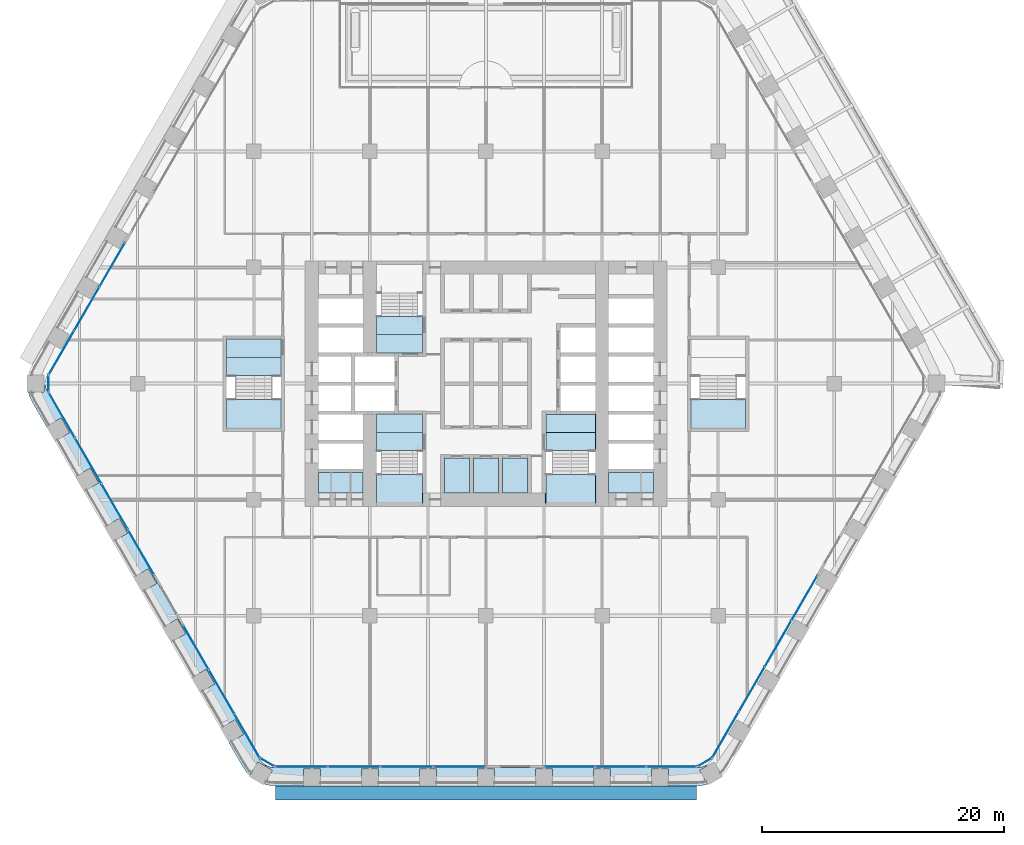
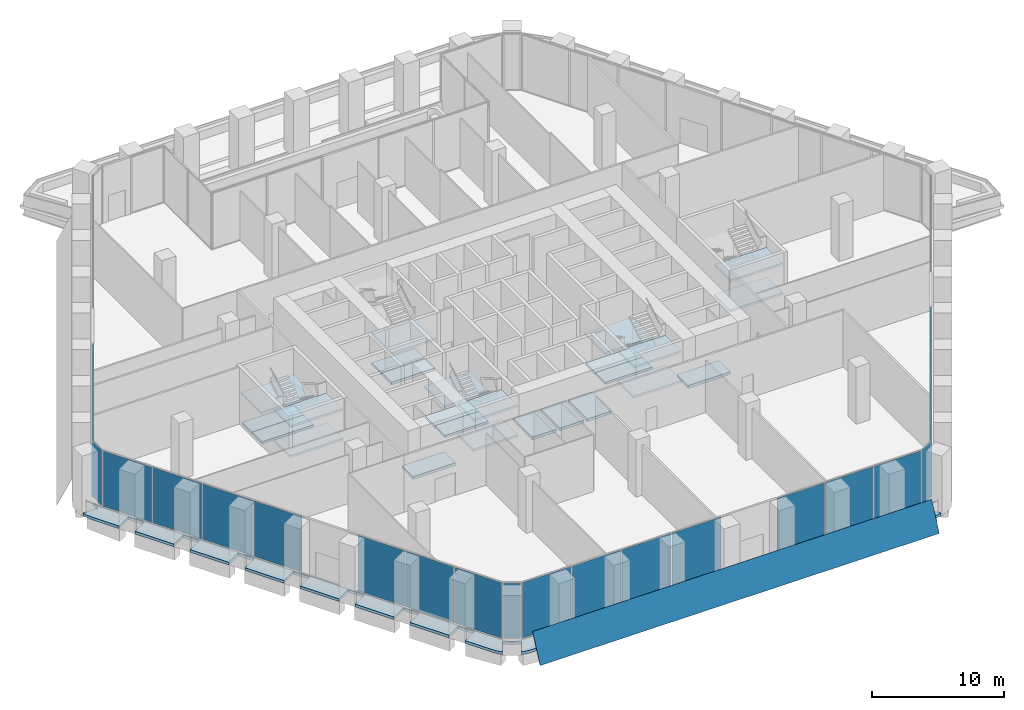
# One storey, part 16 of 30: 27 slabs, 25 plates, 14 elements without a shape of their own.
"""IFC4 building model written with IfcOpenShell, lengths in metres."""

from ifc_helpers import new_model, si_unit, direction, frame, origin, origin_2d, place, context, subcontext, project, spatial, polyline, rectangle, outline, extrude, material, layer, layer_set, type_object, element, aggregate, save


model = new_model("IFC4")

# Units and contexts
model_context = context("Model", 3, precision=1e-05, world=origin(), true_north=direction((0.0, 1.0)))
body_context = subcontext(model_context, "Body", "Model", "MODEL_VIEW")
ifc_project = project(units=[si_unit("LENGTHUNIT", "METRE"), si_unit("AREAUNIT", "SQUARE_METRE"), si_unit("VOLUMEUNIT", "CUBIC_METRE"), si_unit("PLANEANGLEUNIT", "RADIAN"), si_unit("MASSUNIT", "GRAM", prefix="KILO")], contexts=[model_context])

# Site, building, storey
site_placement = place(None, origin())
site = spatial("IfcSite", under=ifc_project, at=site_placement, CompositionType="ELEMENT")
building_placement = place(site_placement, origin())
building = spatial("IfcBuilding", under=site, at=building_placement, Name="Kolab Exchange Tower", CompositionType="ELEMENT")
storey_placement = place(building_placement, frame((0.0, 0.0, 38.89990234375)))
storey = spatial("IfcBuildingStorey", under=building, at=storey_placement, Name="L07", CompositionType="ELEMENT", Elevation=38.89990234375)

# Slabs
ifc_material_1 = material(Name="Concrete C35/45", Category="concrete")
ifc_layer_1 = layer(ifc_material_1, 0.25)
ifc_layer_set_1 = layer_set([ifc_layer_1], Name="Concrete C35/45")
slab_type_1 = type_object("IfcSlabType", Name="FLOOR SLAB 250", PredefinedType="FLOOR", material=ifc_layer_set_1)
slab_1_placement = place(storey_placement, frame((0.0, 0.0, -0.25)))
element("IfcSlab", 1, at=slab_1_placement, inside=storey, type_object=slab_type_1, Name="slab/L07/floor/8", PredefinedType="FLOOR", context=body_context, shape_type="SweptSolid", body=[
    extrude(outline(polyline([(-21.449951171875, 3.64990234375), (-21.449951171875, 2.14990234375), (-16.949951171875, 2.14990234375), (-16.949951171875, 3.64990234375), (-21.449951171875, 3.64990234375)])), origin(), (0.0, 0.0, 1.0), 0.25),
])
slab_2_placement = place(storey_placement, frame((0.0, 0.0, -0.25)))
element("IfcSlab", 2, at=slab_2_placement, inside=storey, type_object=slab_type_1, Name="slab/L07/floor/10", PredefinedType="FLOOR", context=body_context, shape_type="SweptSolid", body=[
    extrude(outline(polyline([(-10.14990234375, -9.050048828125), (-10.14990234375, -7.35009765625), (-13.85009765625, -7.35009765625), (-13.85009765625, -9.050048828125), (-10.14990234375, -9.050048828125)])), origin(), (0.0, 0.0, 1.0), 0.25),
])
slab_3_placement = place(storey_placement, frame((0.0, 0.0, -0.25)))
element("IfcSlab", 3, at=slab_3_placement, inside=storey, type_object=slab_type_1, Name="slab/L07/floor/12", PredefinedType="FLOOR", context=body_context, shape_type="SweptSolid", body=[
    extrude(outline(polyline([(10.14990234375, -7.35009765625), (10.14990234375, -9.050048828125), (13.85009765625, -9.050048828125), (13.85009765625, -7.35009765625), (10.14990234375, -7.35009765625)])), origin(), (0.0, 0.0, 1.0), 0.25),
])
slab_4_placement = place(storey_placement, frame((0.0, 0.0, -0.25)))
element("IfcSlab", 4, at=slab_4_placement, inside=storey, type_object=slab_type_1, Name="slab/L07/floor/14", PredefinedType="FLOOR", context=body_context, shape_type="SweptSolid", body=[
    extrude(outline(polyline([(9.050048828125, -4.050048828125), (9.050048828125, -2.550048828125), (6.14990234375, -2.550048828125), (5.85009765625, -2.550048828125), (4.949951171875, -2.550048828125), (4.949951171875, -4.050048828125), (9.050048828125, -4.050048828125)])), origin(), (0.0, 0.0, 1.0), 0.25),
])
slab_5_placement = place(storey_placement, frame((0.0, 0.0, -0.25)))
element("IfcSlab", 5, at=slab_5_placement, inside=storey, type_object=slab_type_1, Name="slab/L07/floor/15", PredefinedType="FLOOR", context=body_context, shape_type="SweptSolid", body=[
    extrude(outline(polyline([(1.050048828125, -6.14990234375), (-1.050048828125, -6.14990234375), (-1.050048828125, -9.050048828125), (1.050048828125, -9.050048828125), (1.050048828125, -6.14990234375)])), origin(), (0.0, 0.0, 1.0), 0.25),
])
slab_6_placement = place(storey_placement, frame((0.0, 0.0, -0.25)))
element("IfcSlab", 6, at=slab_6_placement, inside=storey, type_object=slab_type_1, Name="slab/L07/floor/17", PredefinedType="FLOOR", context=body_context, shape_type="SweptSolid", body=[
    extrude(outline(polyline([(-1.35009765625, -6.14990234375), (-3.449951171875, -6.14990234375), (-3.449951171875, -9.050048828125), (-1.35009765625, -9.050048828125), (-1.35009765625, -6.14990234375)])), origin(), (0.0, 0.0, 1.0), 0.25),
])
slab_7_placement = place(storey_placement, frame((0.0, 0.0, -0.25)))
element("IfcSlab", 7, at=slab_7_placement, inside=storey, type_object=slab_type_1, Name="slab/L07/floor/19", PredefinedType="FLOOR", context=body_context, shape_type="SweptSolid", body=[
    extrude(outline(polyline([(1.35009765625, -6.14990234375), (1.35009765625, -9.050048828125), (3.449951171875, -9.050048828125), (3.449951171875, -6.14990234375), (1.35009765625, -6.14990234375)])), origin(), (0.0, 0.0, 1.0), 0.25),
])
slab_8_placement = place(storey_placement, frame((0.0, 0.0, -0.25)))
element("IfcSlab", 8, at=slab_8_placement, inside=storey, type_object=slab_type_1, Name="slab/L07/floor/21", PredefinedType="FLOOR", context=body_context, shape_type="SweptSolid", body=[
    extrude(outline(polyline([(-9.050048828125, -4.050048828125), (-5.25, -4.050048828125), (-5.25, -2.550048828125), (-7.25, -2.550048828125), (-7.550048828125, -2.550048828125), (-9.050048828125, -2.550048828125), (-9.050048828125, -4.050048828125)])), origin(), (0.0, 0.0, 1.0), 0.25),
])
slab_9_placement = place(storey_placement, frame((0.0, 0.0, -0.25)))
element("IfcSlab", 9, at=slab_9_placement, inside=storey, type_object=slab_type_1, Name="slab/L07/floor/22", PredefinedType="FLOOR", context=body_context, shape_type="SweptSolid", body=[
    extrude(outline(polyline([(-5.25, 4.050048828125), (-9.050048828125, 4.050048828125), (-9.050048828125, 2.550048828125), (-7.550048828125, 2.550048828125), (-7.25, 2.550048828125), (-5.25, 2.550048828125), (-5.25, 4.050048828125)])), origin(), (0.0, 0.0, 1.0), 0.25),
])
ifc_layer_2 = layer(ifc_material_1, 0.25)
ifc_layer_set_2 = layer_set([ifc_layer_2], Name="Concrete C35/45")
slab_type_2 = type_object("IfcSlabType", Name="LOGGIA SLAB 250", PredefinedType="FLOOR", material=ifc_layer_set_2)
slab_10_placement = place(storey_placement, frame((0.0, 0.0, -0.25)))
element("IfcSlab", 10, at=slab_10_placement, inside=storey, type_object=slab_type_2, Name="slab/L07/loggia/3-0", PredefinedType="FLOOR", context=body_context, shape_type="SweptSolid", body=[
    extrude(outline(polyline([(-17.98095703125, -31.664794921875), (-18.218017578125, -31.554443359375), (-18.26806640625, -31.64111328125), (-17.66162109375, -31.990966796875), (-18.31494140625, -33.122314453125), (-17.989013671875, -33.209716796875), (-17.468017578125, -33.25537109375), (-15.10009765625, -33.25537109375), (-15.10009765625, -31.85546875), (-13.699951171875, -31.85546875), (-13.699951171875, -33.25537109375), (-10.300048828125, -33.25537109375), (-10.300048828125, -31.85546875), (-8.89990234375, -31.85546875), (-8.89990234375, -33.25537109375), (-5.5, -33.25537109375), (-5.5, -31.85546875), (-4.10009765625, -31.85546875), (-4.10009765625, -33.25537109375), (-0.699951171875, -33.25537109375), (-0.699951171875, -31.85546875), (0.699951171875, -31.85546875), (0.699951171875, -33.25537109375), (4.10009765625, -33.25537109375), (4.10009765625, -31.85546875), (5.5, -31.85546875), (5.5, -33.25537109375), (8.89990234375, -33.25537109375), (8.89990234375, -31.85546875), (10.300048828125, -31.85546875), (10.300048828125, -33.25537109375), (13.699951171875, -33.25537109375), (13.699951171875, -31.85546875), (15.10009765625, -31.85546875), (15.10009765625, -33.25537109375), (17.468017578125, -33.25537109375), (17.989013671875, -33.209716796875), (18.31494140625, -33.122314453125), (17.66162109375, -31.990966796875), (18.26806640625, -31.64111328125), (18.218017578125, -31.554443359375), (17.98095703125, -31.664794921875), (17.728515625, -31.732666015625), (17.468017578125, -31.75537109375), (-17.468017578125, -31.75537109375), (-17.728515625, -31.732666015625), (-17.98095703125, -31.664794921875)])), origin(), (0.0, 0.0, 1.0), 0.25),
])
slab_11_placement = place(storey_placement, frame((0.0, 0.0, -0.25)))
element("IfcSlab", 11, at=slab_11_placement, inside=storey, type_object=slab_type_2, Name="slab/L07/loggia/4-0", PredefinedType="FLOOR", context=body_context, shape_type="SweptSolid", body=[
    extrude(outline(polyline([(-36.4130859375, -0.260498046875), (-36.435791015625, 0.0), (-36.535888671875, 0.0), (-36.535888671875, -0.699951171875), (-37.84228515625, -0.699951171875), (-37.7548828125, -1.026123046875), (-37.533935546875, -1.5), (-36.35009765625, -3.55078125), (-35.137451171875, -2.8505859375), (-34.4375, -4.063232421875), (-35.64990234375, -4.76318359375), (-33.949951171875, -7.70751953125), (-32.737548828125, -7.007568359375), (-32.03759765625, -8.219970703125), (-33.25, -8.920166015625), (-31.550048828125, -11.864501953125), (-30.337646484375, -11.16455078125), (-29.637451171875, -12.376953125), (-30.85009765625, -13.076904296875), (-29.14990234375, -16.021484375), (-27.9375, -15.321533203125), (-27.237548828125, -16.533935546875), (-28.449951171875, -17.23388671875), (-26.75, -20.178466796875), (-25.53759765625, -19.478271484375), (-24.837646484375, -20.69091796875), (-26.050048828125, -21.390869140625), (-24.35009765625, -24.335205078125), (-23.137451171875, -23.63525390625), (-22.4375, -24.84765625), (-23.64990234375, -25.5478515625), (-21.949951171875, -28.4921875), (-20.737548828125, -27.792236328125), (-20.03759765625, -29.004638671875), (-21.25, -29.70458984375), (-20.06591796875, -31.75537109375), (-19.76611328125, -32.183837890625), (-19.52734375, -32.42236328125), (-18.874267578125, -31.291015625), (-18.26806640625, -31.64111328125), (-18.218017578125, -31.554443359375), (-18.43212890625, -31.404541015625), (-18.616943359375, -31.219482421875), (-18.76708984375, -31.00537109375), (-36.23486328125, -0.75), (-36.345458984375, -0.512939453125), (-36.4130859375, -0.260498046875)])), origin(), (0.0, 0.0, 1.0), 0.25),
])

# Plate
ifc_material_2 = material(Name="Laminated glass, clear", Category="glass")
ifc_layer_3 = layer(ifc_material_2, 0.0400390625)
ifc_layer_set_3 = layer_set([ifc_layer_3], Name="Laminated glass, clear")
plate_type_1 = type_object("IfcPlateType", Name="OUTER SKIN LAMINATED GLASS SHEET 40", PredefinedType="SHEET", material=ifc_layer_set_3)
plate_1_placement = place(storey_placement, frame((17.41796875, -34.435302734375, -0.782958984375), z_axis=(0.0, -0.906309875243, 0.422613783538), x_axis=(-1.0, 0.0, 0.0)))
element("IfcPlate", 12, at=plate_1_placement, inside=storey, type_object=plate_type_1, Name="Outer skin", PredefinedType="SHEET", context=body_context, shape_type="SweptSolid", body=[
    extrude(outline(polyline([(0.0, 0.0), (34.8359375, 0.0), (34.8359375, -2.7059095846952848), (0.0, -2.7059095846952848), (0.0, 0.0)])), origin(), (0.0, 0.0, -1.0), 0.0400390625),
])

# Stair, slabs
ifc_material_3 = material(Name="Concrete C50/60", Category="concrete")
stair_type_1 = type_object("IfcStairType", Name="STAIR ST1 RISER 171.9", PredefinedType="DOUBLE_RETURN_STAIR", material=ifc_material_3)
stair_1_placement = place(storey_placement, origin())
stair_1 = element("IfcStair", 13, at=stair_1_placement, inside=storey, type_object=stair_type_1, Name="Stair 1", PredefinedType="DOUBLE_RETURN_STAIR")
ifc_layer_4 = layer(ifc_material_3, 0.199951171875)
ifc_layer_set_4 = layer_set([ifc_layer_4], Name="Concrete C50/60")
slab_type_3 = type_object("IfcSlabType", Name="STAIR LANDING 200", PredefinedType="LANDING", material=ifc_layer_set_4)
slab_12_placement = place(storey_placement, frame((0.0, 0.0, -0.199951171875)))
slab_12 = element("IfcSlab", 14, at=slab_12_placement, type_object=slab_type_3, Name="ST1 landing 1", PredefinedType="LANDING", context=body_context, shape_type="SweptSolid", body=[
    extrude(outline(polyline([(-9.050048828125, 4.050048828125), (-5.25, 4.050048828125), (-5.25, 5.550048828125), (-9.050048828125, 5.550048828125), (-9.050048828125, 4.050048828125)])), origin(), (0.0, 0.0, 1.0), 0.199951171875),
])
slab_13_placement = place(storey_placement, frame((0.0, 0.0, 2.550048828125)))
slab_13 = element("IfcSlab", 15, at=slab_13_placement, type_object=slab_type_3, Name="ST1 landing 3", PredefinedType="LANDING", context=body_context, shape_type="SweptSolid", body=[
    extrude(outline(polyline([(-9.110107421875, 2.489990234375), (-5.18994140625, 2.489990234375), (-5.18994140625, 5.550048828125), (-9.110107421875, 5.550048828125), (-9.110107421875, 2.489990234375)])), origin(), (0.0, 0.0, 1.0), 0.199951171875),
])
aggregate(stair_1, [slab_12, slab_13])

stair_type_2 = type_object("IfcStairType", Name="STAIR ST3 RISER 171.9", PredefinedType="DOUBLE_RETURN_STAIR", material=ifc_material_3)
stair_2_placement = place(storey_placement, origin())
stair_2 = element("IfcStair", 16, at=stair_2_placement, inside=storey, type_object=stair_type_2, Name="Stair 3", PredefinedType="DOUBLE_RETURN_STAIR")
slab_14_placement = place(storey_placement, frame((0.0, 0.0, -0.199951171875)))
slab_14 = element("IfcSlab", 17, at=slab_14_placement, type_object=slab_type_3, Name="ST3 landing 1", PredefinedType="LANDING", context=body_context, shape_type="SweptSolid", body=[
    extrude(outline(polyline([(-9.050048828125, -5.550048828125), (-5.25, -5.550048828125), (-5.25, -4.050048828125), (-9.050048828125, -4.050048828125), (-9.050048828125, -5.550048828125)])), origin(), (0.0, 0.0, 1.0), 0.199951171875),
])
slab_15_placement = place(storey_placement, frame((0.0, 0.0, 1.175048828125)))
slab_15 = element("IfcSlab", 18, at=slab_15_placement, type_object=slab_type_3, Name="ST3 landing 2", PredefinedType="LANDING", context=body_context, shape_type="SweptSolid", body=[
    extrude(outline(polyline([(-9.110107421875, -9.909912109375), (-5.18994140625, -9.909912109375), (-5.18994140625, -7.510009765625), (-9.110107421875, -7.510009765625), (-9.110107421875, -9.909912109375)])), origin(), (0.0, 0.0, 1.0), 0.199951171875),
])
slab_16_placement = place(storey_placement, frame((0.0, 0.0, 2.550048828125)))
slab_16 = element("IfcSlab", 19, at=slab_16_placement, type_object=slab_type_3, Name="ST3 landing 3", PredefinedType="LANDING", context=body_context, shape_type="SweptSolid", body=[
    extrude(outline(polyline([(-9.110107421875, -5.550048828125), (-5.18994140625, -5.550048828125), (-5.18994140625, -2.489990234375), (-9.110107421875, -2.489990234375), (-9.110107421875, -5.550048828125)])), origin(), (0.0, 0.0, 1.0), 0.199951171875),
])
slab_17_placement = place(storey_placement, frame((0.0, 0.0, 3.925048828125)))
slab_17 = element("IfcSlab", 20, at=slab_17_placement, type_object=slab_type_3, Name="ST3 landing 4", PredefinedType="LANDING", context=body_context, shape_type="SweptSolid", body=[
    extrude(outline(polyline([(-9.050048828125, -9.909912109375), (-5.25, -9.909912109375), (-5.25, -7.510009765625), (-9.050048828125, -7.510009765625), (-9.050048828125, -9.909912109375)])), origin(), (0.0, 0.0, 1.0), 0.199951171875),
])
aggregate(stair_2, [slab_14, slab_15, slab_16, slab_17])

stair_type_3 = type_object("IfcStairType", Name="STAIR ST2 RISER 171.9", PredefinedType="DOUBLE_RETURN_STAIR", material=ifc_material_3)
stair_3_placement = place(storey_placement, origin())
stair_3 = element("IfcStair", 21, at=stair_3_placement, inside=storey, type_object=stair_type_3, Name="Stair 2", PredefinedType="DOUBLE_RETURN_STAIR")
slab_18_placement = place(storey_placement, frame((0.0, 0.0, -0.199951171875)))
slab_18 = element("IfcSlab", 22, at=slab_18_placement, type_object=slab_type_3, Name="ST2 landing 1", PredefinedType="LANDING", context=body_context, shape_type="SweptSolid", body=[
    extrude(outline(polyline([(4.949951171875, -5.550048828125), (9.050048828125, -5.550048828125), (9.050048828125, -4.050048828125), (4.949951171875, -4.050048828125), (4.949951171875, -5.550048828125)])), origin(), (0.0, 0.0, 1.0), 0.199951171875),
])
slab_19_placement = place(storey_placement, frame((0.0, 0.0, 1.175048828125)))
slab_19 = element("IfcSlab", 23, at=slab_19_placement, type_object=slab_type_3, Name="ST2 landing 2", PredefinedType="LANDING", context=body_context, shape_type="SweptSolid", body=[
    extrude(outline(polyline([(4.889892578125, -9.909912109375), (9.110107421875, -9.909912109375), (9.110107421875, -7.510009765625), (4.889892578125, -7.510009765625), (4.889892578125, -9.909912109375)])), origin(), (0.0, 0.0, 1.0), 0.199951171875),
])
slab_20_placement = place(storey_placement, frame((0.0, 0.0, 2.550048828125)))
slab_20 = element("IfcSlab", 24, at=slab_20_placement, type_object=slab_type_3, Name="ST2 landing 3", PredefinedType="LANDING", context=body_context, shape_type="SweptSolid", body=[
    extrude(outline(polyline([(4.889892578125, -5.550048828125), (9.110107421875, -5.550048828125), (9.110107421875, -2.489990234375), (4.889892578125, -2.489990234375), (4.889892578125, -5.550048828125)])), origin(), (0.0, 0.0, 1.0), 0.199951171875),
])
slab_21_placement = place(storey_placement, frame((0.0, 0.0, 3.925048828125)))
slab_21 = element("IfcSlab", 25, at=slab_21_placement, type_object=slab_type_3, Name="ST2 landing 4", PredefinedType="LANDING", context=body_context, shape_type="SweptSolid", body=[
    extrude(outline(polyline([(4.949951171875, -9.909912109375), (9.050048828125, -9.909912109375), (9.050048828125, -7.510009765625), (4.949951171875, -7.510009765625), (4.949951171875, -9.909912109375)])), origin(), (0.0, 0.0, 1.0), 0.199951171875),
])
aggregate(stair_3, [slab_18, slab_19, slab_20, slab_21])

stair_type_4 = type_object("IfcStairType", Name="STAIR ST4 RISER 171.9", PredefinedType="DOUBLE_RETURN_STAIR", material=ifc_material_3)
stair_4_placement = place(storey_placement, origin())
stair_4 = element("IfcStair", 26, at=stair_4_placement, inside=storey, type_object=stair_type_4, Name="Stair 4", PredefinedType="DOUBLE_RETURN_STAIR")
slab_22_placement = place(storey_placement, frame((0.0, 0.0, 1.175048828125)))
slab_22 = element("IfcSlab", 27, at=slab_22_placement, type_object=slab_type_3, Name="ST4 landing 2", PredefinedType="LANDING", context=body_context, shape_type="SweptSolid", body=[
    extrude(outline(polyline([(16.889892578125, -3.7099609375), (21.510009765625, -3.7099609375), (21.510009765625, -1.31005859375), (16.889892578125, -1.31005859375), (16.889892578125, -3.7099609375)])), origin(), (0.0, 0.0, 1.0), 0.199951171875),
])
slab_23_placement = place(storey_placement, frame((0.0, 0.0, 3.925048828125)))
slab_23 = element("IfcSlab", 28, at=slab_23_placement, type_object=slab_type_3, Name="ST4 landing 4", PredefinedType="LANDING", context=body_context, shape_type="SweptSolid", body=[
    extrude(outline(polyline([(16.949951171875, -3.7099609375), (21.449951171875, -3.7099609375), (21.449951171875, -1.31005859375), (16.949951171875, -1.31005859375), (16.949951171875, -3.7099609375)])), origin(), (0.0, 0.0, 1.0), 0.199951171875),
])
aggregate(stair_4, [slab_22, slab_23])

stair_type_5 = type_object("IfcStairType", Name="STAIR ST5 RISER 171.9", PredefinedType="DOUBLE_RETURN_STAIR", material=ifc_material_3)
stair_5_placement = place(storey_placement, origin())
stair_5 = element("IfcStair", 29, at=stair_5_placement, inside=storey, type_object=stair_type_5, Name="Stair 5", PredefinedType="DOUBLE_RETURN_STAIR")
slab_24_placement = place(storey_placement, frame((0.0, 0.0, -0.199951171875)))
slab_24 = element("IfcSlab", 30, at=slab_24_placement, type_object=slab_type_3, Name="ST5 landing 1", PredefinedType="LANDING", context=body_context, shape_type="SweptSolid", body=[
    extrude(outline(polyline([(-21.449951171875, 0.64990234375), (-16.949951171875, 0.64990234375), (-16.949951171875, 2.14990234375), (-21.449951171875, 2.14990234375), (-21.449951171875, 0.64990234375)])), origin(), (0.0, 0.0, 1.0), 0.199951171875),
])
slab_25_placement = place(storey_placement, frame((0.0, 0.0, 1.175048828125)))
slab_25 = element("IfcSlab", 31, at=slab_25_placement, type_object=slab_type_3, Name="ST5 landing 2", PredefinedType="LANDING", context=body_context, shape_type="SweptSolid", body=[
    extrude(outline(polyline([(-21.510009765625, -3.7099609375), (-16.889892578125, -3.7099609375), (-16.889892578125, -1.31005859375), (-21.510009765625, -1.31005859375), (-21.510009765625, -3.7099609375)])), origin(), (0.0, 0.0, 1.0), 0.199951171875),
])
slab_26_placement = place(storey_placement, frame((0.0, 0.0, 2.550048828125)))
slab_26 = element("IfcSlab", 32, at=slab_26_placement, type_object=slab_type_3, Name="ST5 landing 3", PredefinedType="LANDING", context=body_context, shape_type="SweptSolid", body=[
    extrude(outline(polyline([(-21.510009765625, 0.64990234375), (-16.889892578125, 0.64990234375), (-16.889892578125, 3.7099609375), (-21.510009765625, 3.7099609375), (-21.510009765625, 0.64990234375)])), origin(), (0.0, 0.0, 1.0), 0.199951171875),
])
slab_27_placement = place(storey_placement, frame((0.0, 0.0, 3.925048828125)))
slab_27 = element("IfcSlab", 33, at=slab_27_placement, type_object=slab_type_3, Name="ST5 landing 4", PredefinedType="LANDING", context=body_context, shape_type="SweptSolid", body=[
    extrude(outline(polyline([(-21.449951171875, -3.7099609375), (-16.949951171875, -3.7099609375), (-16.949951171875, -1.31005859375), (-21.449951171875, -1.31005859375), (-21.449951171875, -3.7099609375)])), origin(), (0.0, 0.0, 1.0), 0.199951171875),
])
aggregate(stair_5, [slab_24, slab_25, slab_26, slab_27])

# Curtain wall, plates
ifc_material_4 = material(Name="Aluminium EN AW-6063 T6", Category="aluminium")
curtain_wall_type = type_object("IfcCurtainWallType", Name="UNITISED LOW ZONE CURTAIN WALL", PredefinedType="NOTDEFINED", material=ifc_material_4)
curtain_wall_1_placement = place(storey_placement, origin())
curtain_wall_1 = element("IfcCurtainWall", 34, at=curtain_wall_1_placement, inside=storey, type_object=curtain_wall_type, Name="cw/L07/F3-2", PredefinedType="NOTDEFINED")
ifc_material_5 = material(Name="Clear insulated glazing unit", Category="glass")
ifc_layer_5 = layer(ifc_material_5, 0.02392578125)
ifc_layer_set_5 = layer_set([ifc_layer_5], Name="Clear insulated glazing unit")
plate_type_2 = type_object("IfcPlateType", Name="UNITISED LOW ZONE GLASS PANEL 24", PredefinedType="CURTAIN_PANEL", material=ifc_layer_set_5)
plate_2_placement = place(storey_placement, frame((26.33251953125, -17.74169921875, 0.06005859375), z_axis=(0.0, 0.0, 1.0), x_axis=(-0.5000000112, -0.866025397318, 0.0)))
plate_2 = element("IfcPlate", 35, at=plate_2_placement, type_object=plate_type_2, Name="CW1 panel 1.1", PredefinedType="CURTAIN_PANEL", context=body_context, shape_type="SweptSolid", body=[
    extrude(rectangle(XDim=4.277099609375, YDim=0.02392578125, at=origin_2d()), origin(), (0.0, 0.0, 1.0), 5.1298828125),
])
plate_3_placement = place(storey_placement, frame((24.156494140625, -21.510498046875, 0.06005859375), z_axis=(0.0, 0.0, 1.0), x_axis=(-0.5000000112, -0.866025397318, 0.0)))
plate_3 = element("IfcPlate", 36, at=plate_3_placement, type_object=plate_type_2, Name="CW1 panel 2.1", PredefinedType="CURTAIN_PANEL", context=body_context, shape_type="SweptSolid", body=[
    extrude(rectangle(XDim=4.306884765625, YDim=0.02392578125, at=origin_2d()), origin(), (0.0, 0.0, 1.0), 5.1298828125),
])
plate_4_placement = place(storey_placement, frame((21.972900390625, -25.29248046875, 0.06005859375), z_axis=(0.0, 0.0, 1.0), x_axis=(-0.5000000112, -0.866025397318, 0.0)))
plate_4 = element("IfcPlate", 37, at=plate_4_placement, type_object=plate_type_2, Name="CW1 panel 3.1", PredefinedType="CURTAIN_PANEL", context=body_context, shape_type="SweptSolid", body=[
    extrude(rectangle(XDim=4.306884765625, YDim=0.02392578125, at=origin_2d()), origin(), (0.0, 0.0, 1.0), 5.1298828125),
])
plate_5_placement = place(storey_placement, frame((19.796875, -29.0615234375, 0.06005859375), z_axis=(0.0, 0.0, 1.0), x_axis=(-0.5000000112, -0.866025397318, 0.0)))
plate_5 = element("IfcPlate", 38, at=plate_5_placement, type_object=plate_type_2, Name="CW1 panel 4.1", PredefinedType="CURTAIN_PANEL", context=body_context, shape_type="SweptSolid", body=[
    extrude(rectangle(XDim=4.277099609375, YDim=0.02392578125, at=origin_2d()), origin(), (0.0, 0.0, 1.0), 5.1298828125),
])
aggregate(curtain_wall_1, [plate_2, plate_3, plate_4, plate_5])

curtain_wall_2_placement = place(storey_placement, origin())
curtain_wall_2 = element("IfcCurtainWall", 39, at=curtain_wall_2_placement, inside=storey, type_object=curtain_wall_type, Name="cw/L07/F4-1", PredefinedType="NOTDEFINED")
plate_6_placement = place(storey_placement, frame((15.341552734375, -31.67529296875, 0.06005859375), z_axis=(0.0, 0.0, 1.0), x_axis=(-1.0, 0.0, 0.0)))
plate_6 = element("IfcPlate", 40, at=plate_6_placement, type_object=plate_type_2, Name="CW1 panel 1.1", PredefinedType="CURTAIN_PANEL", context=body_context, shape_type="SweptSolid", body=[
    extrude(rectangle(XDim=4.132568359375, YDim=0.02392578125, at=origin_2d()), origin(), (0.0, 0.0, 1.0), 5.1298828125),
])
plate_7_placement = place(storey_placement, frame((11.134033203125, -31.67529296875, 0.06005859375), z_axis=(0.0, 0.0, 1.0), x_axis=(-1.0, 0.0, 0.0)))
plate_7 = element("IfcPlate", 41, at=plate_7_placement, type_object=plate_type_2, Name="CW1 panel 2.1", PredefinedType="CURTAIN_PANEL", context=body_context, shape_type="SweptSolid", body=[
    extrude(rectangle(XDim=4.16259765625, YDim=0.02392578125, at=origin_2d()), origin(), (0.0, 0.0, 1.0), 5.1298828125),
])
plate_8_placement = place(storey_placement, frame((6.92626953125, -31.67529296875, 0.06005859375), z_axis=(0.0, 0.0, 1.0), x_axis=(-1.0, 0.0, 0.0)))
plate_8 = element("IfcPlate", 42, at=plate_8_placement, type_object=plate_type_2, Name="CW1 panel 3.1", PredefinedType="CURTAIN_PANEL", context=body_context, shape_type="SweptSolid", body=[
    extrude(rectangle(XDim=4.132568359375, YDim=0.02392578125, at=origin_2d()), origin(), (0.0, 0.0, 1.0), 5.1298828125),
])
aggregate(curtain_wall_2, [plate_6, plate_7, plate_8])

curtain_wall_3_placement = place(storey_placement, origin())
curtain_wall_3 = element("IfcCurtainWall", 43, at=curtain_wall_3_placement, inside=storey, type_object=curtain_wall_type, Name="cw/L07/F4-2", PredefinedType="NOTDEFINED")
plate_9_placement = place(storey_placement, frame((-2.198486328125, -31.67529296875, 0.06005859375), z_axis=(0.0, 0.0, 1.0), x_axis=(-1.0, 0.0, 0.0)))
plate_9 = element("IfcPlate", 44, at=plate_9_placement, type_object=plate_type_2, Name="CW1 panel 1.1", PredefinedType="CURTAIN_PANEL", context=body_context, shape_type="SweptSolid", body=[
    extrude(rectangle(XDim=4.277099609375, YDim=0.02392578125, at=origin_2d()), origin(), (0.0, 0.0, 1.0), 5.1298828125),
])
plate_10_placement = place(storey_placement, frame((-6.550537109375, -31.67529296875, 0.06005859375), z_axis=(0.0, 0.0, 1.0), x_axis=(-1.0, 0.0, 0.0)))
plate_10 = element("IfcPlate", 45, at=plate_10_placement, type_object=plate_type_2, Name="CW1 panel 2.1", PredefinedType="CURTAIN_PANEL", context=body_context, shape_type="SweptSolid", body=[
    extrude(rectangle(XDim=4.306884765625, YDim=0.02392578125, at=origin_2d()), origin(), (0.0, 0.0, 1.0), 5.1298828125),
])
plate_11_placement = place(storey_placement, frame((-10.91748046875, -31.67529296875, 0.06005859375), z_axis=(0.0, 0.0, 1.0), x_axis=(-1.0, 0.0, 0.0)))
plate_11 = element("IfcPlate", 46, at=plate_11_placement, type_object=plate_type_2, Name="CW1 panel 3.1", PredefinedType="CURTAIN_PANEL", context=body_context, shape_type="SweptSolid", body=[
    extrude(rectangle(XDim=4.306884765625, YDim=0.02392578125, at=origin_2d()), origin(), (0.0, 0.0, 1.0), 5.1298828125),
])
plate_12_placement = place(storey_placement, frame((-15.26953125, -31.67529296875, 0.06005859375), z_axis=(0.0, 0.0, 1.0), x_axis=(-1.0, 0.0, 0.0)))
plate_12 = element("IfcPlate", 47, at=plate_12_placement, type_object=plate_type_2, Name="CW1 panel 4.1", PredefinedType="CURTAIN_PANEL", context=body_context, shape_type="SweptSolid", body=[
    extrude(rectangle(XDim=4.277099609375, YDim=0.02392578125, at=origin_2d()), origin(), (0.0, 0.0, 1.0), 5.1298828125),
])
aggregate(curtain_wall_3, [plate_9, plate_10, plate_11, plate_12])

curtain_wall_4_placement = place(storey_placement, origin())
curtain_wall_4 = element("IfcCurtainWall", 48, at=curtain_wall_4_placement, inside=storey, type_object=curtain_wall_type, Name="cw/L07/F5-1", PredefinedType="NOTDEFINED")
plate_13_placement = place(storey_placement, frame((-19.760986328125, -29.1240234375, 0.06005859375), z_axis=(0.0, 0.0, 1.0), x_axis=(-0.500000017564, 0.866025393644, 0.0)))
plate_13 = element("IfcPlate", 49, at=plate_13_placement, type_object=plate_type_2, Name="CW1 panel 1.1", PredefinedType="CURTAIN_PANEL", context=body_context, shape_type="SweptSolid", body=[
    extrude(rectangle(XDim=4.132568359375, YDim=0.02392578125, at=origin_2d()), origin(), (0.0, 0.0, 1.0), 5.1298828125),
])
plate_14_placement = place(storey_placement, frame((-21.86474609375, -25.47998046875, 0.06005859375), z_axis=(0.0, 0.0, 1.0), x_axis=(-0.500000017564, 0.866025393644, 0.0)))
plate_14 = element("IfcPlate", 50, at=plate_14_placement, type_object=plate_type_2, Name="CW1 panel 2.1", PredefinedType="CURTAIN_PANEL", context=body_context, shape_type="SweptSolid", body=[
    extrude(rectangle(XDim=4.16259765625, YDim=0.02392578125, at=origin_2d()), origin(), (0.0, 0.0, 1.0), 5.1298828125),
])
plate_15_placement = place(storey_placement, frame((-23.968505859375, -21.836181640625, 0.06005859375), z_axis=(0.0, 0.0, 1.0), x_axis=(-0.500000017564, 0.866025393644, 0.0)))
plate_15 = element("IfcPlate", 51, at=plate_15_placement, type_object=plate_type_2, Name="CW1 panel 3.1", PredefinedType="CURTAIN_PANEL", context=body_context, shape_type="SweptSolid", body=[
    extrude(rectangle(XDim=4.132568359375, YDim=0.02392578125, at=origin_2d()), origin(), (0.0, 0.0, 1.0), 5.1298828125),
])
aggregate(curtain_wall_4, [plate_13, plate_14, plate_15])

curtain_wall_5_placement = place(storey_placement, origin())
curtain_wall_5 = element("IfcCurtainWall", 52, at=curtain_wall_5_placement, inside=storey, type_object=curtain_wall_type, Name="cw/L07/F5-2", PredefinedType="NOTDEFINED")
plate_16_placement = place(storey_placement, frame((-28.531005859375, -13.933837890625, 0.06005859375), z_axis=(0.0, 0.0, 1.0), x_axis=(-0.499999968274, 0.866025422102, 0.0)))
plate_16 = element("IfcPlate", 53, at=plate_16_placement, type_object=plate_type_2, Name="CW1 panel 1.1", PredefinedType="CURTAIN_PANEL", context=body_context, shape_type="SweptSolid", body=[
    extrude(rectangle(XDim=4.277099609375, YDim=0.02392578125, at=origin_2d()), origin(), (0.0, 0.0, 1.0), 5.1298828125),
])
plate_17_placement = place(storey_placement, frame((-30.70703125, -10.164794921875, 0.06005859375), z_axis=(0.0, 0.0, 1.0), x_axis=(-0.499999968274, 0.866025422102, 0.0)))
plate_17 = element("IfcPlate", 54, at=plate_17_placement, type_object=plate_type_2, Name="CW1 panel 2.1", PredefinedType="CURTAIN_PANEL", context=body_context, shape_type="SweptSolid", body=[
    extrude(rectangle(XDim=4.306884765625, YDim=0.02392578125, at=origin_2d()), origin(), (0.0, 0.0, 1.0), 5.1298828125),
])
plate_18_placement = place(storey_placement, frame((-32.890380859375, -6.3828125, 0.06005859375), z_axis=(0.0, 0.0, 1.0), x_axis=(-0.499999968274, 0.866025422102, 0.0)))
plate_18 = element("IfcPlate", 55, at=plate_18_placement, type_object=plate_type_2, Name="CW1 panel 3.1", PredefinedType="CURTAIN_PANEL", context=body_context, shape_type="SweptSolid", body=[
    extrude(rectangle(XDim=4.306884765625, YDim=0.02392578125, at=origin_2d()), origin(), (0.0, 0.0, 1.0), 5.1298828125),
])
plate_19_placement = place(storey_placement, frame((-35.06640625, -2.614013671875, 0.06005859375), z_axis=(0.0, 0.0, 1.0), x_axis=(-0.499999968274, 0.866025422102, 0.0)))
plate_19 = element("IfcPlate", 56, at=plate_19_placement, type_object=plate_type_2, Name="CW1 panel 4.1", PredefinedType="CURTAIN_PANEL", context=body_context, shape_type="SweptSolid", body=[
    extrude(rectangle(XDim=4.277099609375, YDim=0.02392578125, at=origin_2d()), origin(), (0.0, 0.0, 1.0), 5.1298828125),
])
aggregate(curtain_wall_5, [plate_16, plate_17, plate_18, plate_19])

curtain_wall_6_placement = place(storey_placement, origin())
curtain_wall_6 = element("IfcCurtainWall", 57, at=curtain_wall_6_placement, inside=storey, type_object=curtain_wall_type, Name="cw/L07/F6-1", PredefinedType="NOTDEFINED")
plate_20_placement = place(storey_placement, frame((-35.1025390625, 2.551513671875, 0.06005859375), z_axis=(0.0, 0.0, 1.0), x_axis=(0.499999958358, 0.866025427826, 0.0)))
plate_20 = element("IfcPlate", 58, at=plate_20_placement, type_object=plate_type_2, Name="CW1 panel 1.1", PredefinedType="CURTAIN_PANEL", context=body_context, shape_type="SweptSolid", body=[
    extrude(rectangle(XDim=4.132568359375, YDim=0.02392578125, at=origin_2d()), origin(), (0.0, 0.0, 1.0), 5.1298828125),
])
plate_21_placement = place(storey_placement, frame((-32.998779296875, 6.1953125, 0.06005859375), z_axis=(0.0, 0.0, 1.0), x_axis=(0.499999958358, 0.866025427826, 0.0)))
plate_21 = element("IfcPlate", 59, at=plate_21_placement, type_object=plate_type_2, Name="CW1 panel 2.1", PredefinedType="CURTAIN_PANEL", context=body_context, shape_type="SweptSolid", body=[
    extrude(rectangle(XDim=4.16259765625, YDim=0.02392578125, at=origin_2d()), origin(), (0.0, 0.0, 1.0), 5.1298828125),
])
plate_22_placement = place(storey_placement, frame((-30.894775390625, 9.83935546875, 0.06005859375), z_axis=(0.0, 0.0, 1.0), x_axis=(0.499999958358, 0.866025427826, 0.0)))
plate_22 = element("IfcPlate", 60, at=plate_22_placement, type_object=plate_type_2, Name="CW1 panel 3.1", PredefinedType="CURTAIN_PANEL", context=body_context, shape_type="SweptSolid", body=[
    extrude(rectangle(XDim=4.132568359375, YDim=0.02392578125, at=origin_2d()), origin(), (0.0, 0.0, 1.0), 5.1298828125),
])
aggregate(curtain_wall_6, [plate_20, plate_21, plate_22])

# Curtain wall, plate
curtain_wall_7_placement = place(storey_placement, origin())
curtain_wall_7 = element("IfcCurtainWall", 61, at=curtain_wall_7_placement, inside=storey, type_object=curtain_wall_type, Name="cw/L07/F3F4-corner", PredefinedType="NOTDEFINED")
plate_23_placement = place(storey_placement, frame((18.082763671875, -31.3203125, 0.06005859375), z_axis=(0.0, 0.0, 1.0), x_axis=(-0.866025390869, -0.50000002237, 0.0)))
plate_23 = element("IfcPlate", 62, at=plate_23_placement, type_object=plate_type_2, Name="CW1 panel 1.1", PredefinedType="CURTAIN_PANEL", context=body_context, shape_type="SweptSolid", body=[
    extrude(rectangle(XDim=1.300048828125, YDim=0.02392578125, at=origin_2d()), origin(), (0.0, 0.0, 1.0), 5.1298828125),
])
aggregate(curtain_wall_7, [plate_23])

curtain_wall_8_placement = place(storey_placement, origin())
curtain_wall_8 = element("IfcCurtainWall", 63, at=curtain_wall_8_placement, inside=storey, type_object=curtain_wall_type, Name="cw/L07/F4F5-corner", PredefinedType="NOTDEFINED")
plate_24_placement = place(storey_placement, frame((-18.082763671875, -31.3203125, 0.06005859375), z_axis=(0.0, 0.0, 1.0), x_axis=(-0.866025390869, 0.50000002237, 0.0)))
plate_24 = element("IfcPlate", 64, at=plate_24_placement, type_object=plate_type_2, Name="CW1 panel 1.1", PredefinedType="CURTAIN_PANEL", context=body_context, shape_type="SweptSolid", body=[
    extrude(rectangle(XDim=1.300048828125, YDim=0.02392578125, at=origin_2d()), origin(), (0.0, 0.0, 1.0), 5.1298828125),
])
aggregate(curtain_wall_8, [plate_24])

curtain_wall_9_placement = place(storey_placement, origin())
curtain_wall_9 = element("IfcCurtainWall", 65, at=curtain_wall_9_placement, inside=storey, type_object=curtain_wall_type, Name="cw/L07/F5F6-corner", PredefinedType="NOTDEFINED")
plate_25_placement = place(storey_placement, frame((-36.165771484375, 0.0, 0.06005859375), z_axis=(0.0, 0.0, 1.0), x_axis=(0.0, 1.0, 0.0)))
plate_25 = element("IfcPlate", 66, at=plate_25_placement, type_object=plate_type_2, Name="CW1 panel 1.1", PredefinedType="CURTAIN_PANEL", context=body_context, shape_type="SweptSolid", body=[
    extrude(rectangle(XDim=1.300048828125, YDim=0.02392578125, at=origin_2d()), origin(), (0.0, 0.0, 1.0), 5.1298828125),
])
aggregate(curtain_wall_9, [plate_25])

save(model, "model.ifc")
